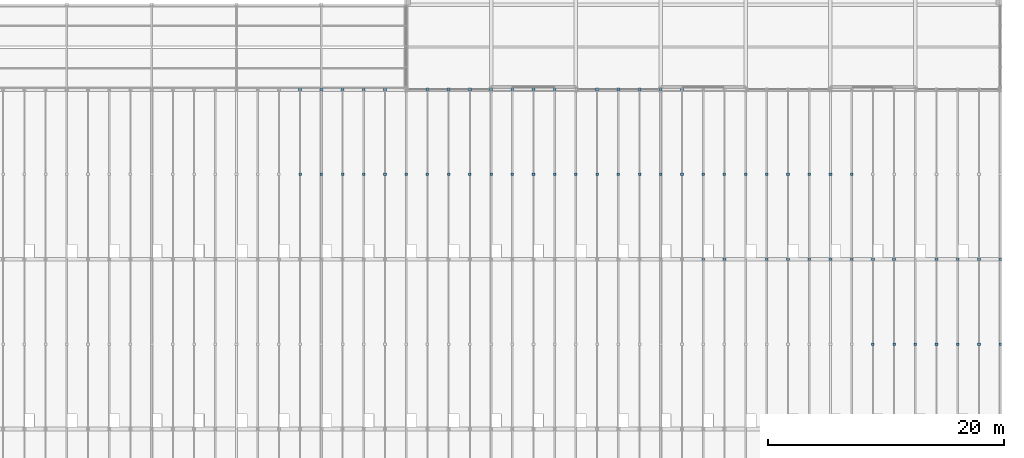
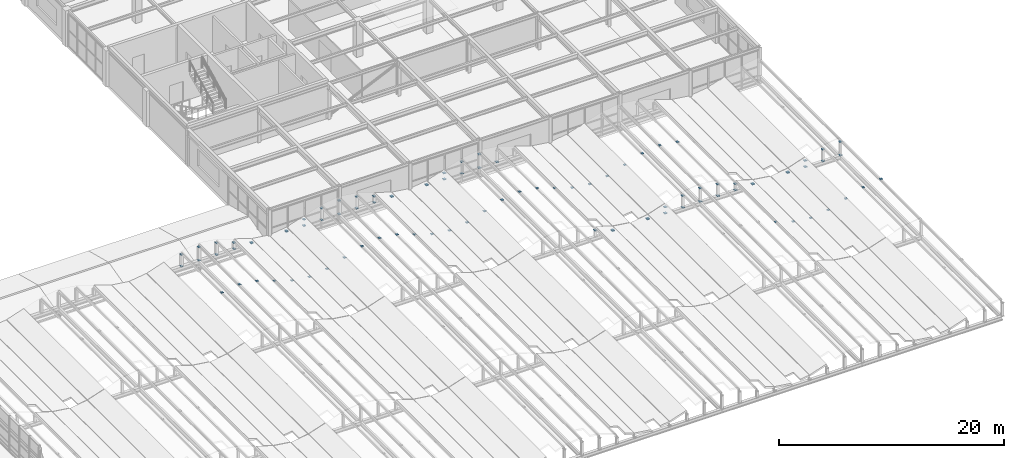
# One storey, part 77 of 83: 92 discrete accessories.
"""IFC4 building model written with IfcOpenShell, lengths in metres."""

from ifc_helpers import new_model, si_unit, direction, frame, origin, origin_2d, place, context, subcontext, project, spatial, rectangle, extrude, material, type_object, element, save


model = new_model("IFC4")

# Units and contexts
model_context = context("Model", 3, precision=1e-05, world=origin(), true_north=direction((0.0, 1.0)))
body_context = subcontext(model_context, "Body", "Model", "MODEL_VIEW")
ifc_project = project(units=[si_unit("LENGTHUNIT", "METRE"), si_unit("AREAUNIT", "SQUARE_METRE"), si_unit("VOLUMEUNIT", "CUBIC_METRE"), si_unit("PLANEANGLEUNIT", "RADIAN"), si_unit("MASSUNIT", "GRAM", prefix="KILO")], contexts=[model_context])

# Site, building, storey
site_placement = place(None, origin())
site = spatial("IfcSite", under=ifc_project, at=site_placement, CompositionType="ELEMENT")
building_placement = place(site_placement, origin())
building = spatial("IfcBuilding", under=site, at=building_placement, Name="Leyfeld Transit Interchange", CompositionType="ELEMENT")
storey_placement = place(building_placement, frame((0.0, 0.0, 5.39990234375)))
storey = spatial("IfcBuildingStorey", under=building, at=storey_placement, Name="L01", CompositionType="ELEMENT", Elevation=5.39990234375)

# Discrete accessories
ifc_material = material(Name="Steel S355J2", Category="steel")
discrete_accessory_type = type_object("IfcDiscreteAccessoryType", Name="ACC-BRK-PUR", PredefinedType="BRACKET", material=ifc_material)
discrete_accessory_1_placement = place(storey_placement, frame((127.800048828125, 36.0, 2.349609375), z_axis=(0.0, 0.0, 1.0), x_axis=(1.0, 0.0, 0.0)))
element("IfcDiscreteAccessory", 1, at=discrete_accessory_1_placement, inside=storey, type_object=discrete_accessory_type, Name="Wave Shell Purlin Cleat 102", PredefinedType="BRACKET", context=body_context, shape_type="SweptSolid", body=[
    extrude(rectangle(XDim=0.219970703125, YDim=0.219970703125, at=origin_2d()), origin(), (0.0, 0.0, 1.0), 0.050048828125),
])
for number, where, z_axis, x_axis, name in (
    (2, (127.800048828125, 43.199951171875, 0.85009765625), (0.0, 0.0, 1.0), (1.0, 0.0, 0.0), "Riser Post Base Shoe 104"),
    (3, (127.800048828125, 43.199951171875, 2.1298828125), (0.0, 0.0, 1.0), (1.0, 0.0, 0.0), "Riser Post Cap Shoe 104"),
):
    element("IfcDiscreteAccessory", number, at=place(storey_placement, frame(where, z_axis=z_axis, x_axis=x_axis)), inside=storey, type_object=discrete_accessory_type, Name=name, PredefinedType="BRACKET", context=body_context, shape_type="SweptSolid", body=[
        extrude(rectangle(XDim=0.239990234375, YDim=0.239990234375, at=origin_2d()), origin(), (0.0, 0.0, 1.0), 0.06005859375),
    ])
discrete_accessory_2_placement = place(storey_placement, frame((129.60009765625, 36.0, 2.60791015625), z_axis=(0.0, 0.0, 1.0), x_axis=(1.0, 0.0, 0.0)))
element("IfcDiscreteAccessory", 4, at=discrete_accessory_2_placement, inside=storey, type_object=discrete_accessory_type, Name="Wave Shell Purlin Cleat 109", PredefinedType="BRACKET", context=body_context, shape_type="SweptSolid", body=[
    extrude(rectangle(XDim=0.219970703125, YDim=0.219970703125, at=origin_2d()), origin(), (0.0, 0.0, 1.0), 0.050048828125),
])
for number, where, z_axis, x_axis, name in (
    (5, (129.60009765625, 43.199951171875, 0.85009765625), (0.0, 0.0, 1.0), (1.0, 0.0, 0.0), "Riser Post Base Shoe 111"),
    (6, (129.60009765625, 43.199951171875, 2.318115234375), (0.0, 0.0, 1.0), (1.0, 0.0, 0.0), "Riser Post Cap Shoe 111"),
):
    element("IfcDiscreteAccessory", number, at=place(storey_placement, frame(where, z_axis=z_axis, x_axis=x_axis)), inside=storey, type_object=discrete_accessory_type, Name=name, PredefinedType="BRACKET", context=body_context, shape_type="SweptSolid", body=[
        extrude(rectangle(XDim=0.239990234375, YDim=0.239990234375, at=origin_2d()), origin(), (0.0, 0.0, 1.0), 0.06005859375),
    ])
discrete_accessory_3_placement = place(storey_placement, frame((131.39990234375, 36.0, 2.349609375), z_axis=(0.0, 0.0, 1.0), x_axis=(1.0, 0.0, 0.0)))
element("IfcDiscreteAccessory", 7, at=discrete_accessory_3_placement, inside=storey, type_object=discrete_accessory_type, Name="Wave Shell Purlin Cleat 116", PredefinedType="BRACKET", context=body_context, shape_type="SweptSolid", body=[
    extrude(rectangle(XDim=0.219970703125, YDim=0.219970703125, at=origin_2d()), origin(), (0.0, 0.0, 1.0), 0.050048828125),
])
for number, where, z_axis, x_axis, name in (
    (8, (131.39990234375, 43.199951171875, 0.85009765625), (0.0, 0.0, 1.0), (1.0, 0.0, 0.0), "Riser Post Base Shoe 118"),
    (9, (131.39990234375, 43.199951171875, 2.1298828125), (0.0, 0.0, 1.0), (1.0, 0.0, 0.0), "Riser Post Cap Shoe 118"),
):
    element("IfcDiscreteAccessory", number, at=place(storey_placement, frame(where, z_axis=z_axis, x_axis=x_axis)), inside=storey, type_object=discrete_accessory_type, Name=name, PredefinedType="BRACKET", context=body_context, shape_type="SweptSolid", body=[
        extrude(rectangle(XDim=0.239990234375, YDim=0.239990234375, at=origin_2d()), origin(), (0.0, 0.0, 1.0), 0.06005859375),
    ])
discrete_accessory_4_placement = place(storey_placement, frame((133.199951171875, 36.0, 1.74658203125), z_axis=(0.0, 0.0, 1.0), x_axis=(1.0, 0.0, 0.0)))
element("IfcDiscreteAccessory", 10, at=discrete_accessory_4_placement, inside=storey, type_object=discrete_accessory_type, Name="Wave Shell Purlin Cleat 123", PredefinedType="BRACKET", context=body_context, shape_type="SweptSolid", body=[
    extrude(rectangle(XDim=0.219970703125, YDim=0.219970703125, at=origin_2d()), origin(), (0.0, 0.0, 1.0), 0.050048828125),
])
for number, where, z_axis, x_axis, name in (
    (11, (133.199951171875, 43.199951171875, 0.85009765625), (0.0, 0.0, 1.0), (1.0, 0.0, 0.0), "Riser Post Base Shoe 125"),
    (12, (133.199951171875, 43.199951171875, 1.526611328125), (0.0, 0.0, 1.0), (1.0, 0.0, 0.0), "Riser Post Cap Shoe 125"),
):
    element("IfcDiscreteAccessory", number, at=place(storey_placement, frame(where, z_axis=z_axis, x_axis=x_axis)), inside=storey, type_object=discrete_accessory_type, Name=name, PredefinedType="BRACKET", context=body_context, shape_type="SweptSolid", body=[
        extrude(rectangle(XDim=0.239990234375, YDim=0.239990234375, at=origin_2d()), origin(), (0.0, 0.0, 1.0), 0.06005859375),
    ])
discrete_accessory_5_placement = place(storey_placement, frame((135.0, 36.0, 1.14453125), z_axis=(0.0, 0.0, 1.0), x_axis=(1.0, 0.0, 0.0)))
element("IfcDiscreteAccessory", 13, at=discrete_accessory_5_placement, inside=storey, type_object=discrete_accessory_type, Name="Wave Shell Purlin Cleat 130", PredefinedType="BRACKET", context=body_context, shape_type="SweptSolid", body=[
    extrude(rectangle(XDim=0.219970703125, YDim=0.219970703125, at=origin_2d()), origin(), (0.0, 0.0, 1.0), 0.050048828125),
])
for number, where, z_axis, x_axis, name in (
    (14, (135.0, 43.199951171875, 0.85009765625), (0.0, 0.0, 1.0), (1.0, 0.0, 0.0), "Riser Post Base Shoe 132"),
    (15, (135.0, 43.199951171875, 0.9248046875), (0.0, 0.0, 1.0), (1.0, 0.0, 0.0), "Riser Post Cap Shoe 132"),
):
    element("IfcDiscreteAccessory", number, at=place(storey_placement, frame(where, z_axis=z_axis, x_axis=x_axis)), inside=storey, type_object=discrete_accessory_type, Name=name, PredefinedType="BRACKET", context=body_context, shape_type="SweptSolid", body=[
        extrude(rectangle(XDim=0.239990234375, YDim=0.239990234375, at=origin_2d()), origin(), (0.0, 0.0, 1.0), 0.06005859375),
    ])
for number, where, z_axis, x_axis, name in (
    (16, (136.800048828125, 36.0, 0.90234375), (0.0, 0.0, 1.0), (1.0, 0.0, 0.0), "Wave Shell Purlin Cleat 135"),
    (17, (138.60009765625, 36.0, 1.14453125), (0.0, 0.0, 1.0), (1.0, 0.0, 0.0), "Wave Shell Purlin Cleat 140"),
):
    element("IfcDiscreteAccessory", number, at=place(storey_placement, frame(where, z_axis=z_axis, x_axis=x_axis)), inside=storey, type_object=discrete_accessory_type, Name=name, PredefinedType="BRACKET", context=body_context, shape_type="SweptSolid", body=[
        extrude(rectangle(XDim=0.219970703125, YDim=0.219970703125, at=origin_2d()), origin(), (0.0, 0.0, 1.0), 0.050048828125),
    ])
for number, where, z_axis, x_axis, name in (
    (18, (138.60009765625, 43.199951171875, 0.85009765625), (0.0, 0.0, 1.0), (1.0, 0.0, 0.0), "Riser Post Base Shoe 142"),
    (19, (138.60009765625, 43.199951171875, 0.9248046875), (0.0, 0.0, 1.0), (1.0, 0.0, 0.0), "Riser Post Cap Shoe 142"),
):
    element("IfcDiscreteAccessory", number, at=place(storey_placement, frame(where, z_axis=z_axis, x_axis=x_axis)), inside=storey, type_object=discrete_accessory_type, Name=name, PredefinedType="BRACKET", context=body_context, shape_type="SweptSolid", body=[
        extrude(rectangle(XDim=0.239990234375, YDim=0.239990234375, at=origin_2d()), origin(), (0.0, 0.0, 1.0), 0.06005859375),
    ])
discrete_accessory_6_placement = place(storey_placement, frame((140.39990234375, 36.0, 1.74658203125), z_axis=(0.0, 0.0, 1.0), x_axis=(1.0, 0.0, 0.0)))
element("IfcDiscreteAccessory", 20, at=discrete_accessory_6_placement, inside=storey, type_object=discrete_accessory_type, Name="Wave Shell Purlin Cleat 147", PredefinedType="BRACKET", context=body_context, shape_type="SweptSolid", body=[
    extrude(rectangle(XDim=0.219970703125, YDim=0.219970703125, at=origin_2d()), origin(), (0.0, 0.0, 1.0), 0.050048828125),
])
for number, where, z_axis, x_axis, name in (
    (21, (140.39990234375, 43.199951171875, 0.85009765625), (0.0, 0.0, 1.0), (1.0, 0.0, 0.0), "Riser Post Base Shoe 149"),
    (22, (140.39990234375, 43.199951171875, 1.526611328125), (0.0, 0.0, 1.0), (1.0, 0.0, 0.0), "Riser Post Cap Shoe 149"),
):
    element("IfcDiscreteAccessory", number, at=place(storey_placement, frame(where, z_axis=z_axis, x_axis=x_axis)), inside=storey, type_object=discrete_accessory_type, Name=name, PredefinedType="BRACKET", context=body_context, shape_type="SweptSolid", body=[
        extrude(rectangle(XDim=0.239990234375, YDim=0.239990234375, at=origin_2d()), origin(), (0.0, 0.0, 1.0), 0.06005859375),
    ])
discrete_accessory_7_placement = place(storey_placement, frame((142.199951171875, 36.0, 2.349609375), z_axis=(0.0, 0.0, 1.0), x_axis=(1.0, 0.0, 0.0)))
element("IfcDiscreteAccessory", 23, at=discrete_accessory_7_placement, inside=storey, type_object=discrete_accessory_type, Name="Wave Shell Purlin Cleat 154", PredefinedType="BRACKET", context=body_context, shape_type="SweptSolid", body=[
    extrude(rectangle(XDim=0.219970703125, YDim=0.219970703125, at=origin_2d()), origin(), (0.0, 0.0, 1.0), 0.050048828125),
])
for number, where, z_axis, x_axis, name in (
    (24, (142.199951171875, 43.199951171875, 0.85009765625), (0.0, 0.0, 1.0), (1.0, 0.0, 0.0), "Riser Post Base Shoe 156"),
    (25, (142.199951171875, 43.199951171875, 2.1298828125), (0.0, 0.0, 1.0), (1.0, 0.0, 0.0), "Riser Post Cap Shoe 156"),
):
    element("IfcDiscreteAccessory", number, at=place(storey_placement, frame(where, z_axis=z_axis, x_axis=x_axis)), inside=storey, type_object=discrete_accessory_type, Name=name, PredefinedType="BRACKET", context=body_context, shape_type="SweptSolid", body=[
        extrude(rectangle(XDim=0.239990234375, YDim=0.239990234375, at=origin_2d()), origin(), (0.0, 0.0, 1.0), 0.06005859375),
    ])
discrete_accessory_8_placement = place(storey_placement, frame((144.0, 36.0, 2.60791015625), z_axis=(0.0, 0.0, 1.0), x_axis=(1.0, 0.0, 0.0)))
element("IfcDiscreteAccessory", 26, at=discrete_accessory_8_placement, inside=storey, type_object=discrete_accessory_type, Name="Wave Shell Purlin Cleat 161", PredefinedType="BRACKET", context=body_context, shape_type="SweptSolid", body=[
    extrude(rectangle(XDim=0.219970703125, YDim=0.219970703125, at=origin_2d()), origin(), (0.0, 0.0, 1.0), 0.050048828125),
])
for number, where, z_axis, x_axis, name in (
    (27, (144.0, 43.199951171875, 0.85009765625), (0.0, 0.0, 1.0), (1.0, 0.0, 0.0), "Riser Post Base Shoe 163"),
    (28, (144.0, 43.199951171875, 2.318115234375), (0.0, 0.0, 1.0), (1.0, 0.0, 0.0), "Riser Post Cap Shoe 163"),
):
    element("IfcDiscreteAccessory", number, at=place(storey_placement, frame(where, z_axis=z_axis, x_axis=x_axis)), inside=storey, type_object=discrete_accessory_type, Name=name, PredefinedType="BRACKET", context=body_context, shape_type="SweptSolid", body=[
        extrude(rectangle(XDim=0.239990234375, YDim=0.239990234375, at=origin_2d()), origin(), (0.0, 0.0, 1.0), 0.06005859375),
    ])
discrete_accessory_9_placement = place(storey_placement, frame((145.800048828125, 36.0, 2.349609375), z_axis=(0.0, 0.0, 1.0), x_axis=(1.0, 0.0, 0.0)))
element("IfcDiscreteAccessory", 29, at=discrete_accessory_9_placement, inside=storey, type_object=discrete_accessory_type, Name="Wave Shell Purlin Cleat 168", PredefinedType="BRACKET", context=body_context, shape_type="SweptSolid", body=[
    extrude(rectangle(XDim=0.219970703125, YDim=0.219970703125, at=origin_2d()), origin(), (0.0, 0.0, 1.0), 0.050048828125),
])
for number, where, z_axis, x_axis, name in (
    (30, (145.800048828125, 43.199951171875, 0.85009765625), (0.0, 0.0, 1.0), (1.0, 0.0, 0.0), "Riser Post Base Shoe 170"),
    (31, (145.800048828125, 43.199951171875, 2.1298828125), (0.0, 0.0, 1.0), (1.0, 0.0, 0.0), "Riser Post Cap Shoe 170"),
):
    element("IfcDiscreteAccessory", number, at=place(storey_placement, frame(where, z_axis=z_axis, x_axis=x_axis)), inside=storey, type_object=discrete_accessory_type, Name=name, PredefinedType="BRACKET", context=body_context, shape_type="SweptSolid", body=[
        extrude(rectangle(XDim=0.239990234375, YDim=0.239990234375, at=origin_2d()), origin(), (0.0, 0.0, 1.0), 0.06005859375),
    ])
discrete_accessory_10_placement = place(storey_placement, frame((147.60009765625, 36.0, 1.74658203125), z_axis=(0.0, 0.0, 1.0), x_axis=(1.0, 0.0, 0.0)))
element("IfcDiscreteAccessory", 32, at=discrete_accessory_10_placement, inside=storey, type_object=discrete_accessory_type, Name="Wave Shell Purlin Cleat 175", PredefinedType="BRACKET", context=body_context, shape_type="SweptSolid", body=[
    extrude(rectangle(XDim=0.219970703125, YDim=0.219970703125, at=origin_2d()), origin(), (0.0, 0.0, 1.0), 0.050048828125),
])
for number, where, z_axis, x_axis, name in (
    (33, (147.60009765625, 43.199951171875, 0.85009765625), (0.0, 0.0, 1.0), (1.0, 0.0, 0.0), "Riser Post Base Shoe 177"),
    (34, (147.60009765625, 43.199951171875, 1.526611328125), (0.0, 0.0, 1.0), (1.0, 0.0, 0.0), "Riser Post Cap Shoe 177"),
):
    element("IfcDiscreteAccessory", number, at=place(storey_placement, frame(where, z_axis=z_axis, x_axis=x_axis)), inside=storey, type_object=discrete_accessory_type, Name=name, PredefinedType="BRACKET", context=body_context, shape_type="SweptSolid", body=[
        extrude(rectangle(XDim=0.239990234375, YDim=0.239990234375, at=origin_2d()), origin(), (0.0, 0.0, 1.0), 0.06005859375),
    ])
discrete_accessory_11_placement = place(storey_placement, frame((149.39990234375, 36.0, 1.14453125), z_axis=(0.0, 0.0, 1.0), x_axis=(1.0, 0.0, 0.0)))
element("IfcDiscreteAccessory", 35, at=discrete_accessory_11_placement, inside=storey, type_object=discrete_accessory_type, Name="Wave Shell Purlin Cleat 182", PredefinedType="BRACKET", context=body_context, shape_type="SweptSolid", body=[
    extrude(rectangle(XDim=0.219970703125, YDim=0.219970703125, at=origin_2d()), origin(), (0.0, 0.0, 1.0), 0.050048828125),
])
for number, where, z_axis, x_axis, name in (
    (36, (149.39990234375, 43.199951171875, 0.85009765625), (0.0, 0.0, 1.0), (1.0, 0.0, 0.0), "Riser Post Base Shoe 184"),
    (37, (149.39990234375, 43.199951171875, 0.9248046875), (0.0, 0.0, 1.0), (1.0, 0.0, 0.0), "Riser Post Cap Shoe 184"),
):
    element("IfcDiscreteAccessory", number, at=place(storey_placement, frame(where, z_axis=z_axis, x_axis=x_axis)), inside=storey, type_object=discrete_accessory_type, Name=name, PredefinedType="BRACKET", context=body_context, shape_type="SweptSolid", body=[
        extrude(rectangle(XDim=0.239990234375, YDim=0.239990234375, at=origin_2d()), origin(), (0.0, 0.0, 1.0), 0.06005859375),
    ])
for number, where, z_axis, x_axis, name in (
    (38, (151.199951171875, 36.0, 0.90234375), (0.0, 0.0, 1.0), (1.0, 0.0, 0.0), "Wave Shell Purlin Cleat 187"),
    (39, (153.0, 36.0, 1.14453125), (0.0, 0.0, 1.0), (1.0, 0.0, 0.0), "Wave Shell Purlin Cleat 192"),
):
    element("IfcDiscreteAccessory", number, at=place(storey_placement, frame(where, z_axis=z_axis, x_axis=x_axis)), inside=storey, type_object=discrete_accessory_type, Name=name, PredefinedType="BRACKET", context=body_context, shape_type="SweptSolid", body=[
        extrude(rectangle(XDim=0.219970703125, YDim=0.219970703125, at=origin_2d()), origin(), (0.0, 0.0, 1.0), 0.050048828125),
    ])
for number, where, z_axis, x_axis, name in (
    (40, (153.0, 43.199951171875, 0.85009765625), (0.0, 0.0, 1.0), (1.0, 0.0, 0.0), "Riser Post Base Shoe 194"),
    (41, (153.0, 43.199951171875, 0.9248046875), (0.0, 0.0, 1.0), (1.0, 0.0, 0.0), "Riser Post Cap Shoe 194"),
):
    element("IfcDiscreteAccessory", number, at=place(storey_placement, frame(where, z_axis=z_axis, x_axis=x_axis)), inside=storey, type_object=discrete_accessory_type, Name=name, PredefinedType="BRACKET", context=body_context, shape_type="SweptSolid", body=[
        extrude(rectangle(XDim=0.239990234375, YDim=0.239990234375, at=origin_2d()), origin(), (0.0, 0.0, 1.0), 0.06005859375),
    ])
discrete_accessory_12_placement = place(storey_placement, frame((154.800048828125, 36.0, 1.74658203125), z_axis=(0.0, 0.0, 1.0), x_axis=(1.0, 0.0, 0.0)))
element("IfcDiscreteAccessory", 42, at=discrete_accessory_12_placement, inside=storey, type_object=discrete_accessory_type, Name="Wave Shell Purlin Cleat 199", PredefinedType="BRACKET", context=body_context, shape_type="SweptSolid", body=[
    extrude(rectangle(XDim=0.219970703125, YDim=0.219970703125, at=origin_2d()), origin(), (0.0, 0.0, 1.0), 0.050048828125),
])
for number, where, z_axis, x_axis, name in (
    (43, (154.800048828125, 43.199951171875, 0.85009765625), (0.0, 0.0, 1.0), (1.0, 0.0, 0.0), "Riser Post Base Shoe 201"),
    (44, (154.800048828125, 43.199951171875, 1.526611328125), (0.0, 0.0, 1.0), (1.0, 0.0, 0.0), "Riser Post Cap Shoe 201"),
):
    element("IfcDiscreteAccessory", number, at=place(storey_placement, frame(where, z_axis=z_axis, x_axis=x_axis)), inside=storey, type_object=discrete_accessory_type, Name=name, PredefinedType="BRACKET", context=body_context, shape_type="SweptSolid", body=[
        extrude(rectangle(XDim=0.239990234375, YDim=0.239990234375, at=origin_2d()), origin(), (0.0, 0.0, 1.0), 0.06005859375),
    ])
discrete_accessory_13_placement = place(storey_placement, frame((156.60009765625, 36.0, 2.349609375), z_axis=(0.0, 0.0, 1.0), x_axis=(1.0, 0.0, 0.0)))
element("IfcDiscreteAccessory", 45, at=discrete_accessory_13_placement, inside=storey, type_object=discrete_accessory_type, Name="Wave Shell Purlin Cleat 206", PredefinedType="BRACKET", context=body_context, shape_type="SweptSolid", body=[
    extrude(rectangle(XDim=0.219970703125, YDim=0.219970703125, at=origin_2d()), origin(), (0.0, 0.0, 1.0), 0.050048828125),
])
for number, where, z_axis, x_axis, name in (
    (46, (156.60009765625, 43.199951171875, 0.85009765625), (0.0, 0.0, 1.0), (1.0, 0.0, 0.0), "Riser Post Base Shoe 208"),
    (47, (156.60009765625, 43.199951171875, 2.1298828125), (0.0, 0.0, 1.0), (1.0, 0.0, 0.0), "Riser Post Cap Shoe 208"),
):
    element("IfcDiscreteAccessory", number, at=place(storey_placement, frame(where, z_axis=z_axis, x_axis=x_axis)), inside=storey, type_object=discrete_accessory_type, Name=name, PredefinedType="BRACKET", context=body_context, shape_type="SweptSolid", body=[
        extrude(rectangle(XDim=0.239990234375, YDim=0.239990234375, at=origin_2d()), origin(), (0.0, 0.0, 1.0), 0.06005859375),
    ])
discrete_accessory_14_placement = place(storey_placement, frame((158.39990234375, 36.0, 2.60791015625), z_axis=(0.0, 0.0, 1.0), x_axis=(1.0, 0.0, 0.0)))
element("IfcDiscreteAccessory", 48, at=discrete_accessory_14_placement, inside=storey, type_object=discrete_accessory_type, Name="Wave Shell Purlin Cleat 213", PredefinedType="BRACKET", context=body_context, shape_type="SweptSolid", body=[
    extrude(rectangle(XDim=0.219970703125, YDim=0.219970703125, at=origin_2d()), origin(), (0.0, 0.0, 1.0), 0.050048828125),
])
for number, where, z_axis, x_axis, name in (
    (49, (158.39990234375, 43.199951171875, 0.85009765625), (0.0, 0.0, 1.0), (1.0, 0.0, 0.0), "Riser Post Base Shoe 215"),
    (50, (158.39990234375, 43.199951171875, 2.318115234375), (0.0, 0.0, 1.0), (1.0, 0.0, 0.0), "Riser Post Cap Shoe 215"),
):
    element("IfcDiscreteAccessory", number, at=place(storey_placement, frame(where, z_axis=z_axis, x_axis=x_axis)), inside=storey, type_object=discrete_accessory_type, Name=name, PredefinedType="BRACKET", context=body_context, shape_type="SweptSolid", body=[
        extrude(rectangle(XDim=0.239990234375, YDim=0.239990234375, at=origin_2d()), origin(), (0.0, 0.0, 1.0), 0.06005859375),
    ])
discrete_accessory_15_placement = place(storey_placement, frame((160.199951171875, 36.0, 2.349609375), z_axis=(0.0, 0.0, 1.0), x_axis=(1.0, 0.0, 0.0)))
element("IfcDiscreteAccessory", 51, at=discrete_accessory_15_placement, inside=storey, type_object=discrete_accessory_type, Name="Wave Shell Purlin Cleat 220", PredefinedType="BRACKET", context=body_context, shape_type="SweptSolid", body=[
    extrude(rectangle(XDim=0.219970703125, YDim=0.219970703125, at=origin_2d()), origin(), (0.0, 0.0, 1.0), 0.050048828125),
])
discrete_accessory_16_placement = place(storey_placement, frame((160.199951171875, 43.199951171875, 0.85009765625), z_axis=(0.0, 0.0, 1.0), x_axis=(1.0, 0.0, 0.0)))
element("IfcDiscreteAccessory", 52, at=discrete_accessory_16_placement, inside=storey, type_object=discrete_accessory_type, Name="Riser Post Base Shoe 222", PredefinedType="BRACKET", context=body_context, shape_type="SweptSolid", body=[
    extrude(rectangle(XDim=0.239990234375, YDim=0.239990234375, at=origin_2d()), origin(), (0.0, 0.0, 1.0), 0.06005859375),
])
discrete_accessory_17_placement = place(storey_placement, frame((162.0, 36.0, 1.74658203125), z_axis=(0.0, 0.0, 1.0), x_axis=(1.0, 0.0, 0.0)))
element("IfcDiscreteAccessory", 53, at=discrete_accessory_17_placement, inside=storey, type_object=discrete_accessory_type, Name="Wave Shell Purlin Cleat 227", PredefinedType="BRACKET", context=body_context, shape_type="SweptSolid", body=[
    extrude(rectangle(XDim=0.219970703125, YDim=0.219970703125, at=origin_2d()), origin(), (0.0, 0.0, 1.0), 0.050048828125),
])
discrete_accessory_18_placement = place(storey_placement, frame((162.0, 28.800048828125, 1.526611328125), z_axis=(0.0, 0.0, 1.0), x_axis=(1.0, 0.0, 0.0)))
element("IfcDiscreteAccessory", 54, at=discrete_accessory_18_placement, inside=storey, type_object=discrete_accessory_type, Name="Riser Post Cap Shoe 228", PredefinedType="BRACKET", context=body_context, shape_type="SweptSolid", body=[
    extrude(rectangle(XDim=0.239990234375, YDim=0.239990234375, at=origin_2d()), origin(), (0.0, 0.0, 1.0), 0.06005859375),
])
discrete_accessory_19_placement = place(storey_placement, frame((163.800048828125, 36.0, 1.14453125), z_axis=(0.0, 0.0, 1.0), x_axis=(1.0, 0.0, 0.0)))
element("IfcDiscreteAccessory", 55, at=discrete_accessory_19_placement, inside=storey, type_object=discrete_accessory_type, Name="Wave Shell Purlin Cleat 234", PredefinedType="BRACKET", context=body_context, shape_type="SweptSolid", body=[
    extrude(rectangle(XDim=0.219970703125, YDim=0.219970703125, at=origin_2d()), origin(), (0.0, 0.0, 1.0), 0.050048828125),
])
for number, where, z_axis, x_axis, name in (
    (56, (163.800048828125, 28.800048828125, 0.85009765625), (0.0, 0.0, 1.0), (1.0, 0.0, 0.0), "Riser Post Base Shoe 235"),
    (57, (163.800048828125, 28.800048828125, 0.9248046875), (0.0, 0.0, 1.0), (1.0, 0.0, 0.0), "Riser Post Cap Shoe 235"),
):
    element("IfcDiscreteAccessory", number, at=place(storey_placement, frame(where, z_axis=z_axis, x_axis=x_axis)), inside=storey, type_object=discrete_accessory_type, Name=name, PredefinedType="BRACKET", context=body_context, shape_type="SweptSolid", body=[
        extrude(rectangle(XDim=0.239990234375, YDim=0.239990234375, at=origin_2d()), origin(), (0.0, 0.0, 1.0), 0.06005859375),
    ])
for number, where, z_axis, x_axis, name in (
    (58, (165.60009765625, 36.0, 0.90234375), (0.0, 0.0, 1.0), (1.0, 0.0, 0.0), "Wave Shell Purlin Cleat 239"),
    (59, (167.39990234375, 36.0, 1.14453125), (0.0, 0.0, 1.0), (1.0, 0.0, 0.0), "Wave Shell Purlin Cleat 244"),
):
    element("IfcDiscreteAccessory", number, at=place(storey_placement, frame(where, z_axis=z_axis, x_axis=x_axis)), inside=storey, type_object=discrete_accessory_type, Name=name, PredefinedType="BRACKET", context=body_context, shape_type="SweptSolid", body=[
        extrude(rectangle(XDim=0.219970703125, YDim=0.219970703125, at=origin_2d()), origin(), (0.0, 0.0, 1.0), 0.050048828125),
    ])
for number, where, z_axis, x_axis, name in (
    (60, (167.39990234375, 28.800048828125, 0.85009765625), (0.0, 0.0, 1.0), (1.0, 0.0, 0.0), "Riser Post Base Shoe 245"),
    (61, (167.39990234375, 28.800048828125, 0.9248046875), (0.0, 0.0, 1.0), (1.0, 0.0, 0.0), "Riser Post Cap Shoe 245"),
):
    element("IfcDiscreteAccessory", number, at=place(storey_placement, frame(where, z_axis=z_axis, x_axis=x_axis)), inside=storey, type_object=discrete_accessory_type, Name=name, PredefinedType="BRACKET", context=body_context, shape_type="SweptSolid", body=[
        extrude(rectangle(XDim=0.239990234375, YDim=0.239990234375, at=origin_2d()), origin(), (0.0, 0.0, 1.0), 0.06005859375),
    ])
discrete_accessory_20_placement = place(storey_placement, frame((169.199951171875, 36.0, 1.74658203125), z_axis=(0.0, 0.0, 1.0), x_axis=(1.0, 0.0, 0.0)))
element("IfcDiscreteAccessory", 62, at=discrete_accessory_20_placement, inside=storey, type_object=discrete_accessory_type, Name="Wave Shell Purlin Cleat 251", PredefinedType="BRACKET", context=body_context, shape_type="SweptSolid", body=[
    extrude(rectangle(XDim=0.219970703125, YDim=0.219970703125, at=origin_2d()), origin(), (0.0, 0.0, 1.0), 0.050048828125),
])
for number, where, z_axis, x_axis, name in (
    (63, (169.199951171875, 28.800048828125, 0.85009765625), (0.0, 0.0, 1.0), (1.0, 0.0, 0.0), "Riser Post Base Shoe 252"),
    (64, (169.199951171875, 28.800048828125, 1.526611328125), (0.0, 0.0, 1.0), (1.0, 0.0, 0.0), "Riser Post Cap Shoe 252"),
):
    element("IfcDiscreteAccessory", number, at=place(storey_placement, frame(where, z_axis=z_axis, x_axis=x_axis)), inside=storey, type_object=discrete_accessory_type, Name=name, PredefinedType="BRACKET", context=body_context, shape_type="SweptSolid", body=[
        extrude(rectangle(XDim=0.239990234375, YDim=0.239990234375, at=origin_2d()), origin(), (0.0, 0.0, 1.0), 0.06005859375),
    ])
discrete_accessory_21_placement = place(storey_placement, frame((171.0, 36.0, 2.349609375), z_axis=(0.0, 0.0, 1.0), x_axis=(1.0, 0.0, 0.0)))
element("IfcDiscreteAccessory", 65, at=discrete_accessory_21_placement, inside=storey, type_object=discrete_accessory_type, Name="Wave Shell Purlin Cleat 258", PredefinedType="BRACKET", context=body_context, shape_type="SweptSolid", body=[
    extrude(rectangle(XDim=0.219970703125, YDim=0.219970703125, at=origin_2d()), origin(), (0.0, 0.0, 1.0), 0.050048828125),
])
for number, where, z_axis, x_axis, name in (
    (66, (171.0, 28.800048828125, 0.85009765625), (0.0, 0.0, 1.0), (1.0, 0.0, 0.0), "Riser Post Base Shoe 259"),
    (67, (171.0, 28.800048828125, 2.1298828125), (0.0, 0.0, 1.0), (1.0, 0.0, 0.0), "Riser Post Cap Shoe 259"),
):
    element("IfcDiscreteAccessory", number, at=place(storey_placement, frame(where, z_axis=z_axis, x_axis=x_axis)), inside=storey, type_object=discrete_accessory_type, Name=name, PredefinedType="BRACKET", context=body_context, shape_type="SweptSolid", body=[
        extrude(rectangle(XDim=0.239990234375, YDim=0.239990234375, at=origin_2d()), origin(), (0.0, 0.0, 1.0), 0.06005859375),
    ])
discrete_accessory_22_placement = place(storey_placement, frame((172.800048828125, 36.0, 2.60791015625), z_axis=(0.0, 0.0, 1.0), x_axis=(1.0, 0.0, 0.0)))
element("IfcDiscreteAccessory", 68, at=discrete_accessory_22_placement, inside=storey, type_object=discrete_accessory_type, Name="Wave Shell Purlin Cleat 265", PredefinedType="BRACKET", context=body_context, shape_type="SweptSolid", body=[
    extrude(rectangle(XDim=0.219970703125, YDim=0.219970703125, at=origin_2d()), origin(), (0.0, 0.0, 1.0), 0.050048828125),
])
for number, where, z_axis, x_axis, name in (
    (69, (172.800048828125, 28.800048828125, 0.85009765625), (0.0, 0.0, 1.0), (1.0, 0.0, 0.0), "Riser Post Base Shoe 266"),
    (70, (172.800048828125, 28.800048828125, 2.318115234375), (0.0, 0.0, 1.0), (1.0, 0.0, 0.0), "Riser Post Cap Shoe 266"),
):
    element("IfcDiscreteAccessory", number, at=place(storey_placement, frame(where, z_axis=z_axis, x_axis=x_axis)), inside=storey, type_object=discrete_accessory_type, Name=name, PredefinedType="BRACKET", context=body_context, shape_type="SweptSolid", body=[
        extrude(rectangle(XDim=0.239990234375, YDim=0.239990234375, at=origin_2d()), origin(), (0.0, 0.0, 1.0), 0.06005859375),
    ])
discrete_accessory_23_placement = place(storey_placement, frame((174.60009765625, 36.0, 2.349609375), z_axis=(0.0, 0.0, 1.0), x_axis=(1.0, 0.0, 0.0)))
element("IfcDiscreteAccessory", 71, at=discrete_accessory_23_placement, inside=storey, type_object=discrete_accessory_type, Name="Wave Shell Purlin Cleat 272", PredefinedType="BRACKET", context=body_context, shape_type="SweptSolid", body=[
    extrude(rectangle(XDim=0.219970703125, YDim=0.219970703125, at=origin_2d()), origin(), (0.0, 0.0, 1.0), 0.050048828125),
])
for number, where, z_axis, x_axis, name in (
    (72, (174.60009765625, 28.800048828125, 0.85009765625), (0.0, 0.0, 1.0), (1.0, 0.0, 0.0), "Riser Post Base Shoe 273"),
    (73, (174.60009765625, 28.800048828125, 2.1298828125), (0.0, 0.0, 1.0), (1.0, 0.0, 0.0), "Riser Post Cap Shoe 273"),
):
    element("IfcDiscreteAccessory", number, at=place(storey_placement, frame(where, z_axis=z_axis, x_axis=x_axis)), inside=storey, type_object=discrete_accessory_type, Name=name, PredefinedType="BRACKET", context=body_context, shape_type="SweptSolid", body=[
        extrude(rectangle(XDim=0.239990234375, YDim=0.239990234375, at=origin_2d()), origin(), (0.0, 0.0, 1.0), 0.06005859375),
    ])
discrete_accessory_24_placement = place(storey_placement, frame((176.39990234375, 21.60009765625, 1.76220703125), z_axis=(0.0, 0.0, 1.0), x_axis=(1.0, 0.0, 0.0)))
element("IfcDiscreteAccessory", 74, at=discrete_accessory_24_placement, inside=storey, type_object=discrete_accessory_type, Name="Wave Shell Purlin Cleat 277", PredefinedType="BRACKET", context=body_context, shape_type="SweptSolid", body=[
    extrude(rectangle(XDim=0.219970703125, YDim=0.219970703125, at=origin_2d()), origin(), (0.0, 0.0, 1.0), 0.050048828125),
])
for number, where, z_axis, x_axis, name in (
    (75, (176.39990234375, 28.800048828125, 0.85009765625), (0.0, 0.0, 1.0), (1.0, 0.0, 0.0), "Riser Post Base Shoe 280"),
    (76, (176.39990234375, 28.800048828125, 1.526611328125), (0.0, 0.0, 1.0), (1.0, 0.0, 0.0), "Riser Post Cap Shoe 280"),
):
    element("IfcDiscreteAccessory", number, at=place(storey_placement, frame(where, z_axis=z_axis, x_axis=x_axis)), inside=storey, type_object=discrete_accessory_type, Name=name, PredefinedType="BRACKET", context=body_context, shape_type="SweptSolid", body=[
        extrude(rectangle(XDim=0.239990234375, YDim=0.239990234375, at=origin_2d()), origin(), (0.0, 0.0, 1.0), 0.06005859375),
    ])
discrete_accessory_25_placement = place(storey_placement, frame((178.199951171875, 21.60009765625, 1.16064453125), z_axis=(0.0, 0.0, 1.0), x_axis=(1.0, 0.0, 0.0)))
element("IfcDiscreteAccessory", 77, at=discrete_accessory_25_placement, inside=storey, type_object=discrete_accessory_type, Name="Wave Shell Purlin Cleat 284", PredefinedType="BRACKET", context=body_context, shape_type="SweptSolid", body=[
    extrude(rectangle(XDim=0.219970703125, YDim=0.219970703125, at=origin_2d()), origin(), (0.0, 0.0, 1.0), 0.050048828125),
])
for number, where, z_axis, x_axis, name in (
    (78, (178.199951171875, 28.800048828125, 0.85009765625), (0.0, 0.0, 1.0), (1.0, 0.0, 0.0), "Riser Post Base Shoe 287"),
    (79, (178.199951171875, 28.800048828125, 0.9248046875), (0.0, 0.0, 1.0), (1.0, 0.0, 0.0), "Riser Post Cap Shoe 287"),
):
    element("IfcDiscreteAccessory", number, at=place(storey_placement, frame(where, z_axis=z_axis, x_axis=x_axis)), inside=storey, type_object=discrete_accessory_type, Name=name, PredefinedType="BRACKET", context=body_context, shape_type="SweptSolid", body=[
        extrude(rectangle(XDim=0.239990234375, YDim=0.239990234375, at=origin_2d()), origin(), (0.0, 0.0, 1.0), 0.06005859375),
    ])
for number, where, z_axis, x_axis, name in (
    (80, (180.0, 21.60009765625, 0.91796875), (0.0, 0.0, 1.0), (1.0, 0.0, 0.0), "Wave Shell Purlin Cleat 290"),
    (81, (181.800048828125, 21.60009765625, 1.16064453125), (0.0, 0.0, 1.0), (1.0, 0.0, 0.0), "Wave Shell Purlin Cleat 294"),
):
    element("IfcDiscreteAccessory", number, at=place(storey_placement, frame(where, z_axis=z_axis, x_axis=x_axis)), inside=storey, type_object=discrete_accessory_type, Name=name, PredefinedType="BRACKET", context=body_context, shape_type="SweptSolid", body=[
        extrude(rectangle(XDim=0.219970703125, YDim=0.219970703125, at=origin_2d()), origin(), (0.0, 0.0, 1.0), 0.050048828125),
    ])
for number, where, z_axis, x_axis, name in (
    (82, (181.800048828125, 28.800048828125, 0.85009765625), (0.0, 0.0, 1.0), (1.0, 0.0, 0.0), "Riser Post Base Shoe 297"),
    (83, (181.800048828125, 28.800048828125, 0.9248046875), (0.0, 0.0, 1.0), (1.0, 0.0, 0.0), "Riser Post Cap Shoe 297"),
):
    element("IfcDiscreteAccessory", number, at=place(storey_placement, frame(where, z_axis=z_axis, x_axis=x_axis)), inside=storey, type_object=discrete_accessory_type, Name=name, PredefinedType="BRACKET", context=body_context, shape_type="SweptSolid", body=[
        extrude(rectangle(XDim=0.239990234375, YDim=0.239990234375, at=origin_2d()), origin(), (0.0, 0.0, 1.0), 0.06005859375),
    ])
discrete_accessory_26_placement = place(storey_placement, frame((183.60009765625, 21.60009765625, 1.76220703125), z_axis=(0.0, 0.0, 1.0), x_axis=(1.0, 0.0, 0.0)))
element("IfcDiscreteAccessory", 84, at=discrete_accessory_26_placement, inside=storey, type_object=discrete_accessory_type, Name="Wave Shell Purlin Cleat 301", PredefinedType="BRACKET", context=body_context, shape_type="SweptSolid", body=[
    extrude(rectangle(XDim=0.219970703125, YDim=0.219970703125, at=origin_2d()), origin(), (0.0, 0.0, 1.0), 0.050048828125),
])
for number, where, z_axis, x_axis, name in (
    (85, (183.60009765625, 28.800048828125, 0.85009765625), (0.0, 0.0, 1.0), (1.0, 0.0, 0.0), "Riser Post Base Shoe 304"),
    (86, (183.60009765625, 28.800048828125, 1.526611328125), (0.0, 0.0, 1.0), (1.0, 0.0, 0.0), "Riser Post Cap Shoe 304"),
):
    element("IfcDiscreteAccessory", number, at=place(storey_placement, frame(where, z_axis=z_axis, x_axis=x_axis)), inside=storey, type_object=discrete_accessory_type, Name=name, PredefinedType="BRACKET", context=body_context, shape_type="SweptSolid", body=[
        extrude(rectangle(XDim=0.239990234375, YDim=0.239990234375, at=origin_2d()), origin(), (0.0, 0.0, 1.0), 0.06005859375),
    ])
discrete_accessory_27_placement = place(storey_placement, frame((185.39990234375, 21.60009765625, 2.36572265625), z_axis=(0.0, 0.0, 1.0), x_axis=(1.0, 0.0, 0.0)))
element("IfcDiscreteAccessory", 87, at=discrete_accessory_27_placement, inside=storey, type_object=discrete_accessory_type, Name="Wave Shell Purlin Cleat 308", PredefinedType="BRACKET", context=body_context, shape_type="SweptSolid", body=[
    extrude(rectangle(XDim=0.219970703125, YDim=0.219970703125, at=origin_2d()), origin(), (0.0, 0.0, 1.0), 0.050048828125),
])
for number, where, z_axis, x_axis, name in (
    (88, (185.39990234375, 28.800048828125, 0.85009765625), (0.0, 0.0, 1.0), (1.0, 0.0, 0.0), "Riser Post Base Shoe 311"),
    (89, (185.39990234375, 28.800048828125, 2.1298828125), (0.0, 0.0, 1.0), (1.0, 0.0, 0.0), "Riser Post Cap Shoe 311"),
):
    element("IfcDiscreteAccessory", number, at=place(storey_placement, frame(where, z_axis=z_axis, x_axis=x_axis)), inside=storey, type_object=discrete_accessory_type, Name=name, PredefinedType="BRACKET", context=body_context, shape_type="SweptSolid", body=[
        extrude(rectangle(XDim=0.239990234375, YDim=0.239990234375, at=origin_2d()), origin(), (0.0, 0.0, 1.0), 0.06005859375),
    ])
discrete_accessory_28_placement = place(storey_placement, frame((187.199951171875, 21.60009765625, 2.623046875), z_axis=(0.0, 0.0, 1.0), x_axis=(1.0, 0.0, 0.0)))
element("IfcDiscreteAccessory", 90, at=discrete_accessory_28_placement, inside=storey, type_object=discrete_accessory_type, Name="Wave Shell Purlin Cleat 315", PredefinedType="BRACKET", context=body_context, shape_type="SweptSolid", body=[
    extrude(rectangle(XDim=0.219970703125, YDim=0.219970703125, at=origin_2d()), origin(), (0.0, 0.0, 1.0), 0.050048828125),
])
for number, where, z_axis, x_axis, name in (
    (91, (187.199951171875, 28.800048828125, 0.85009765625), (0.0, 0.0, 1.0), (1.0, 0.0, 0.0), "Riser Post Base Shoe 318"),
    (92, (187.199951171875, 28.800048828125, 2.318115234375), (0.0, 0.0, 1.0), (1.0, 0.0, 0.0), "Riser Post Cap Shoe 318"),
):
    element("IfcDiscreteAccessory", number, at=place(storey_placement, frame(where, z_axis=z_axis, x_axis=x_axis)), inside=storey, type_object=discrete_accessory_type, Name=name, PredefinedType="BRACKET", context=body_context, shape_type="SweptSolid", body=[
        extrude(rectangle(XDim=0.239990234375, YDim=0.239990234375, at=origin_2d()), origin(), (0.0, 0.0, 1.0), 0.06005859375),
    ])

save(model, "model.ifc")
